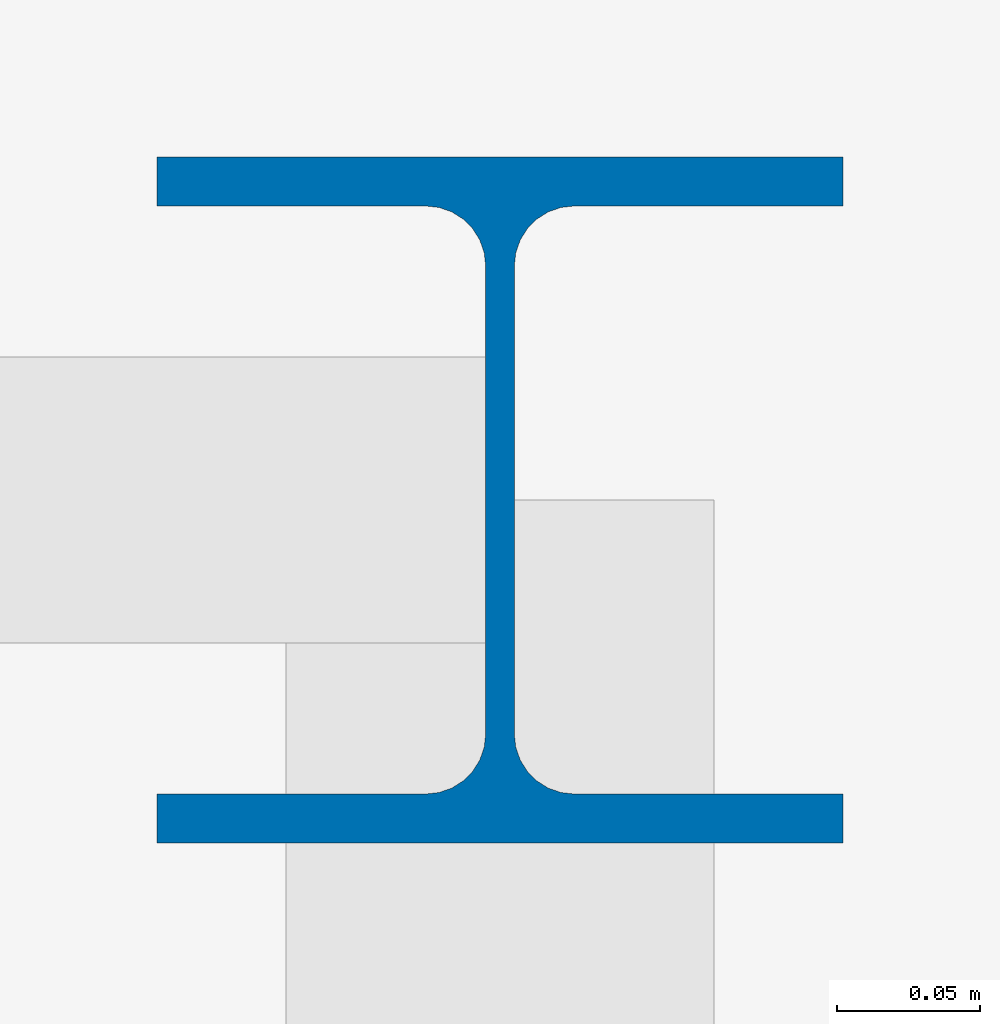
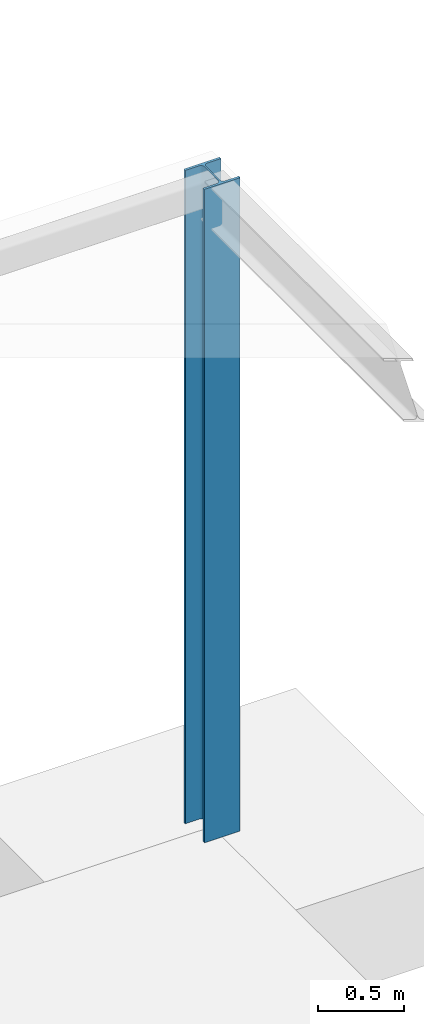
# One storey, part 37 of 118: 1 column.
"""IFC4 building model written with IfcOpenShell, lengths in metres."""

from ifc_helpers import new_model, si_unit, direction, frame, origin, origin_2d, place, context, subcontext, project, spatial, i_section, extrude, material, material_profile, profile_set, type_object, element, save


model = new_model("IFC4")

# Units and contexts
model_context = context("Model", 3, precision=1e-05, world=origin(), true_north=direction((0.0, 1.0)))
body_context = subcontext(model_context, "Body", "Model", "MODEL_VIEW")
ifc_project = project(units=[si_unit("LENGTHUNIT", "METRE"), si_unit("AREAUNIT", "SQUARE_METRE"), si_unit("VOLUMEUNIT", "CUBIC_METRE"), si_unit("PLANEANGLEUNIT", "RADIAN"), si_unit("MASSUNIT", "GRAM", prefix="KILO")], contexts=[model_context])

# Site, building, storey
site_placement = place(None, origin())
site = spatial("IfcSite", under=ifc_project, at=site_placement, CompositionType="ELEMENT")
building_placement = place(site_placement, origin())
building = spatial("IfcBuilding", under=site, at=building_placement, Name="Kildeholm Park Wholesale Market", CompositionType="ELEMENT")
storey_placement = place(building_placement, origin())
storey = spatial("IfcBuildingStorey", under=building, at=storey_placement, Name="L00", CompositionType="ELEMENT", Elevation=0.0)

# Column
ifc_material = material(Name="Steel S355", Category="steel")
ifc_material_profile = material_profile(ifc_material, i_section(OverallWidth=0.239990234375, OverallDepth=0.239990234375, WebThickness=0.010009765625, FlangeThickness=0.01708984375, FilletRadius=0.02099609375, at=origin_2d()), Name="HEB 240")
ifc_profile_set = profile_set([ifc_material_profile], Name="Steel S355")
column_type = type_object("IfcColumnType", Name="Column C-S01 HEB 240", PredefinedType="COLUMN", material=ifc_profile_set)
column_placement = place(storey_placement, frame((189.0, 36.0, 0.0), z_axis=(0.0, 0.0, 1.0), x_axis=(1.0, 0.0, 0.0)))
element("IfcColumn", 1, at=column_placement, inside=storey, type_object=column_type, Name="Public passage column 189-036 COL-0903", PredefinedType="COLUMN", context=body_context, shape_type="SweptSolid", body=[
    extrude(i_section(OverallWidth=0.239990234375, OverallDepth=0.239990234375, WebThickness=0.010009765625, FlangeThickness=0.01708984375, FilletRadius=0.02099609375, at=origin_2d()), origin(), (0.0, 0.0, 1.0), 4.639892578125),
])

save(model, "model.ifc")
